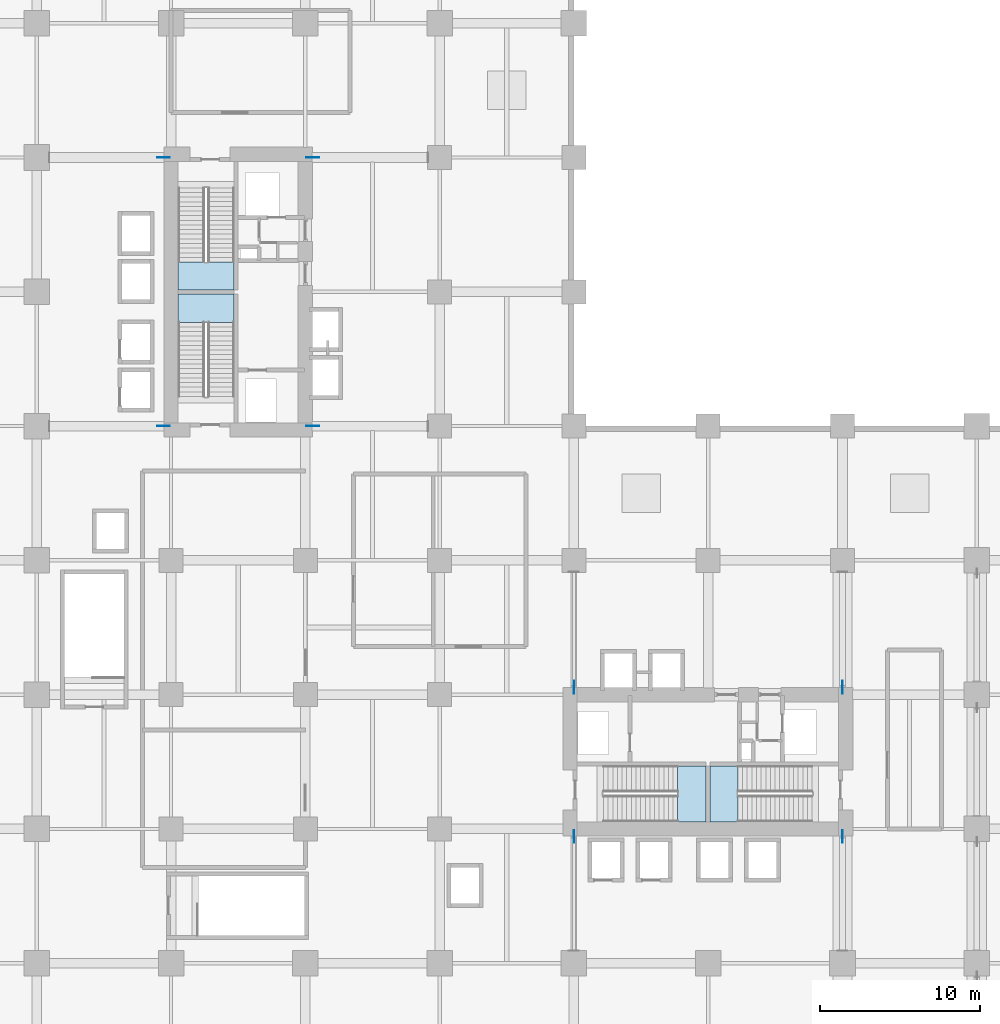
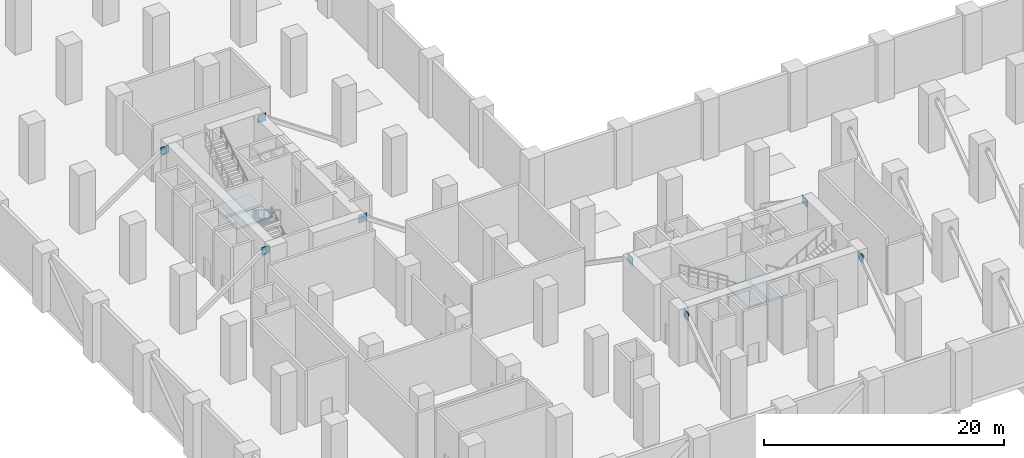
# One storey, part 4 of 20: 8 plates, 4 slabs, 4 elements without a shape of their own.
"""IFC4 building model written with IfcOpenShell, lengths in metres."""

from ifc_helpers import new_model, si_unit, direction, frame, origin, origin_2d, place, context, subcontext, project, spatial, polyline, rectangle, outline, extrude, material, layer, layer_set, type_object, element, aggregate, save


model = new_model("IFC4")

# Units and contexts
model_context = context("Model", 3, precision=1e-05, world=origin(), true_north=direction((0.0, 1.0)))
body_context = subcontext(model_context, "Body", "Model", "MODEL_VIEW")
ifc_project = project(units=[si_unit("LENGTHUNIT", "METRE"), si_unit("AREAUNIT", "SQUARE_METRE"), si_unit("VOLUMEUNIT", "CUBIC_METRE"), si_unit("PLANEANGLEUNIT", "RADIAN"), si_unit("MASSUNIT", "GRAM", prefix="KILO")], contexts=[model_context])

# Site, building, storey
site_placement = place(None, origin())
site = spatial("IfcSite", under=ifc_project, at=site_placement, CompositionType="ELEMENT")
building_placement = place(site_placement, origin())
building = spatial("IfcBuilding", under=site, at=building_placement, Name="Koriwani Terraces Tower", CompositionType="ELEMENT")
storey_placement = place(building_placement, frame((0.0, 0.0, 26.0)))
storey = spatial("IfcBuildingStorey", under=building, at=storey_placement, Name="L05", CompositionType="ELEMENT", Elevation=26.0)

# Stair, slab
ifc_material_1 = material(Name="Concrete C40/50", Category="concrete")
stair_type = type_object("IfcStairType", Name="STAIR_CORE_DOGLEG_1650", PredefinedType="TWO_STRAIGHT_RUN_STAIR", material=ifc_material_1)
stair_1_placement = place(storey_placement, origin())
stair_1 = element("IfcStair", 1, at=stair_1_placement, inside=storey, type_object=stair_type, Name="L05 West Core Exit Stair 1", PredefinedType="HALF_TURN_STAIR")
ifc_layer_1 = layer(ifc_material_1, 0.199951171875, Name="Concrete C40/50")
ifc_layer_set_1 = layer_set([ifc_layer_1], Name="Concrete C40/50")
slab_type = type_object("IfcSlabType", Name="SLAB_STAIR_LANDING_200", PredefinedType="LANDING", material=ifc_layer_set_1)
slab_1_placement = place(storey_placement, frame((0.0, 0.0, 2.800048828125)))
slab_1 = element("IfcSlab", 2, at=slab_1_placement, type_object=slab_type, Name="ST-W1 landing 1", PredefinedType="LANDING", context=body_context, shape_type="SweptSolid", body=[
    extrude(outline(polyline([(20.75, 48.489990234375), (20.75, 50.25), (17.25, 50.25), (17.25, 48.489990234375), (20.75, 48.489990234375)])), origin(), (0.0, 0.0, 1.0), 0.199951171875),
])
aggregate(stair_1, [slab_1])

stair_2_placement = place(storey_placement, origin())
stair_2 = element("IfcStair", 3, at=stair_2_placement, inside=storey, type_object=stair_type, Name="L05 West Core Exit Stair 2", PredefinedType="HALF_TURN_STAIR")
slab_2_placement = place(storey_placement, frame((0.0, 0.0, 2.800048828125)))
slab_2 = element("IfcSlab", 4, at=slab_2_placement, type_object=slab_type, Name="ST-W2 landing 1", PredefinedType="LANDING", context=body_context, shape_type="SweptSolid", body=[
    extrude(outline(polyline([(17.25, 52.260009765625), (17.25, 50.5), (20.75, 50.5), (20.75, 52.260009765625), (17.25, 52.260009765625)])), origin(), (0.0, 0.0, 1.0), 0.199951171875),
])
aggregate(stair_2, [slab_2])

stair_3_placement = place(storey_placement, origin())
stair_3 = element("IfcStair", 5, at=stair_3_placement, inside=storey, type_object=stair_type, Name="L05 East Core Exit Stair 1", PredefinedType="HALF_TURN_STAIR")
slab_3_placement = place(storey_placement, frame((0.0, 0.0, 2.800048828125)))
slab_3 = element("IfcSlab", 6, at=slab_3_placement, type_object=slab_type, Name="ST-E1 landing 1", PredefinedType="LANDING", context=body_context, shape_type="SweptSolid", body=[
    extrude(outline(polyline([(48.489990234375, 17.25), (50.25, 17.25), (50.25, 20.75), (48.489990234375, 20.75), (48.489990234375, 17.25)])), origin(), (0.0, 0.0, 1.0), 0.199951171875),
])
aggregate(stair_3, [slab_3])

stair_4_placement = place(storey_placement, origin())
stair_4 = element("IfcStair", 7, at=stair_4_placement, inside=storey, type_object=stair_type, Name="L05 East Core Exit Stair 2", PredefinedType="HALF_TURN_STAIR")
slab_4_placement = place(storey_placement, frame((0.0, 0.0, 2.800048828125)))
slab_4 = element("IfcSlab", 8, at=slab_4_placement, type_object=slab_type, Name="ST-E2 landing 1", PredefinedType="LANDING", context=body_context, shape_type="SweptSolid", body=[
    extrude(outline(polyline([(52.260009765625, 20.75), (50.5, 20.75), (50.5, 17.25), (52.260009765625, 17.25), (52.260009765625, 20.75)])), origin(), (0.0, 0.0, 1.0), 0.199951171875),
])
aggregate(stair_4, [slab_4])

# Plates
ifc_material_2 = material(Name="Steel ASTM A572 Grade 50", Category="steel")
ifc_layer_2 = layer(ifc_material_2, 0.0400390625, Name="Steel ASTM A572 Grade 50")
ifc_layer_set_2 = layer_set([ifc_layer_2], Name="Steel ASTM A572 Grade 50")
plate_type = type_object("IfcPlateType", Name="STEEL_GUSSET_PLATE_40", PredefinedType="USERDEFINED", material=ifc_layer_set_2)
for number, where, z_axis, x_axis, name in (
    (9, (16.330078125, 42.0, 4.64990234375), (0.0, 0.0, 1.0), (1.0, 0.0, 0.0), "Outrigger truss node gusset plate L05-OW-W1"),
    (10, (16.330078125, 58.800048828125, 4.64990234375), (0.0, 0.0, 1.0), (1.0, 0.0, 0.0), "Outrigger truss node gusset plate L05-OW-W2"),
    (11, (25.669921875, 42.0, 4.64990234375), (0.0, 0.0, 1.0), (-1.0, 0.0, 0.0), "Outrigger truss node gusset plate L05-OW-E1"),
    (12, (25.669921875, 58.800048828125, 4.64990234375), (0.0, 0.0, 1.0), (-1.0, 0.0, 0.0), "Outrigger truss node gusset plate L05-OW-E2"),
    (13, (42.0, 16.330078125, 4.64990234375), (0.0, 0.0, 1.0), (0.0, 1.0, 0.0), "Outrigger truss node gusset plate L05-OE-S1"),
    (14, (58.800048828125, 16.330078125, 4.64990234375), (0.0, 0.0, 1.0), (0.0, 1.0, 0.0), "Outrigger truss node gusset plate L05-OE-S2"),
    (15, (42.0, 25.669921875, 4.64990234375), (0.0, 0.0, 1.0), (0.0, -1.0, 0.0), "Outrigger truss node gusset plate L05-OE-N1"),
    (16, (58.800048828125, 25.669921875, 4.64990234375), (0.0, 0.0, 1.0), (0.0, -1.0, 0.0), "Outrigger truss node gusset plate L05-OE-N2"),
):
    element("IfcPlate", number, at=place(storey_placement, frame(where, z_axis=z_axis, x_axis=x_axis)), inside=storey, type_object=plate_type, Name=name, ObjectType="GUSSET_PLATE", PredefinedType="USERDEFINED", context=body_context, shape_type="SweptSolid", body=[
        extrude(rectangle(XDim=0.800048828125, YDim=0.0400390625, at=origin_2d()), origin(), (0.0, 0.0, 1.0), 0.800048828125),
    ])

save(model, "model.ifc")
